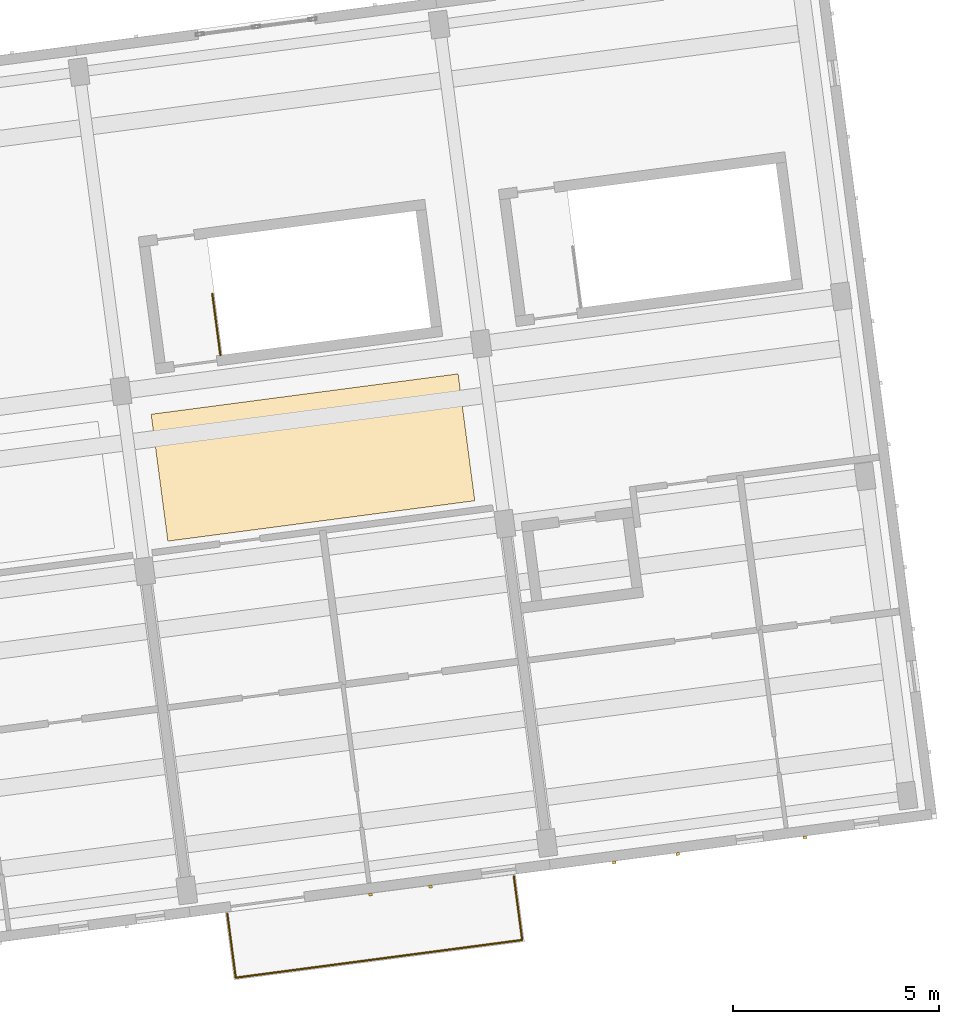
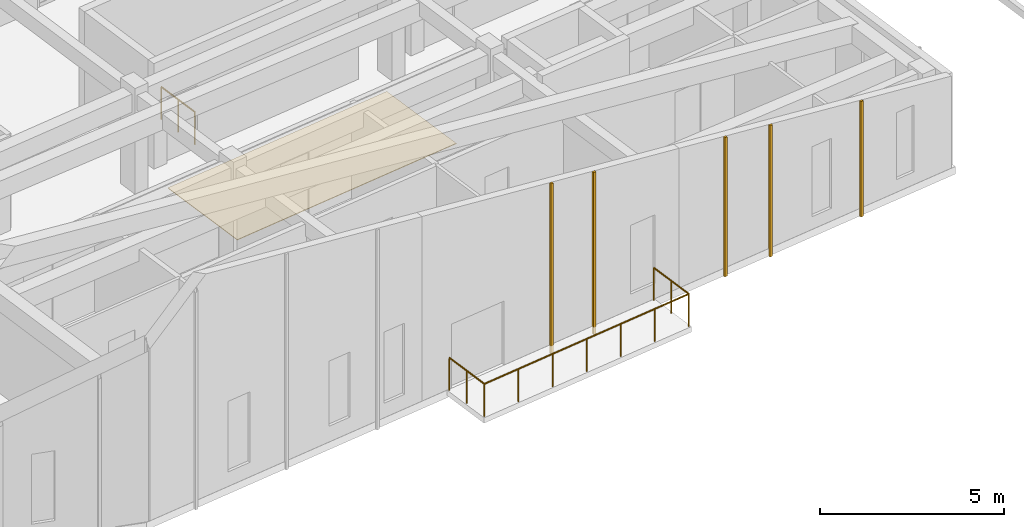
# One storey, part 8 of 10: 6 coverings, 2 railings.
"""IFC4 building model written with IfcOpenShell, lengths in metres."""

from ifc_helpers import new_model, si_unit, direction, frame, origin, origin_2d, place, context, subcontext, project, spatial, polyline, rectangle, circle, outline, extrude, material, layer, layer_set, type_object, element, save


model = new_model("IFC4")

# Units and contexts
model_context = context("Model", 3, precision=1e-05, world=origin(), true_north=direction((0.0, 1.0)))
body_context = subcontext(model_context, "Body", "Model", "MODEL_VIEW")
ifc_project = project(units=[si_unit("LENGTHUNIT", "METRE"), si_unit("AREAUNIT", "SQUARE_METRE"), si_unit("VOLUMEUNIT", "CUBIC_METRE"), si_unit("PLANEANGLEUNIT", "RADIAN"), si_unit("MASSUNIT", "GRAM", prefix="KILO")], contexts=[model_context])

# Site, building, storey
site_placement = place(None, origin())
site = spatial("IfcSite", under=ifc_project, at=site_placement, CompositionType="ELEMENT")
building_placement = place(site_placement, origin())
building = spatial("IfcBuilding", under=site, at=building_placement, Name="Kestramere Prow Commons", CompositionType="ELEMENT")
storey_placement = place(building_placement, frame((0.0, 0.0, 44.14990234375)))
storey = spatial("IfcBuildingStorey", under=building, at=storey_placement, Name="L13", CompositionType="ELEMENT", Elevation=44.14990234375)

# Coverings
ifc_material_1 = material(Name="Weathered Zinc-Titanium Standing-Seam Cladding")
ifc_layer_1 = layer(ifc_material_1, 0.074951171875)
ifc_layer_set_1 = layer_set([ifc_layer_1], Name="Weathered Zinc-Titanium Standing-Seam Cladding")
covering_type_1 = type_object("IfcCoveringType", Name="COV-CLAD-SEAM", PredefinedType="CLADDING", material=ifc_layer_set_1)
covering_1_placement = place(storey_placement, frame((25.82958984375, 73.24267578125, -0.25), z_axis=(0.0, 0.0, 1.0), x_axis=(-0.991444861374, -0.13052619222, 0.0)))
element("IfcCovering", 1, at=covering_1_placement, inside=storey, type_object=covering_type_1, Name="EW-A-L13-S-1 Standing-Seam Rib 2", PredefinedType="CLADDING", context=body_context, shape_type="SweptSolid", body=[
    extrude(rectangle(XDim=0.0849609375, YDim=0.06494140625, at=origin_2d()), origin(), (0.0, 0.0, 1.0), 5.375732421875),
])
covering_2_placement = place(storey_placement, frame((24.37548828125, 73.05126953125, -0.25), z_axis=(0.0, 0.0, 1.0), x_axis=(-0.991444861374, -0.13052619222, 0.0)))
element("IfcCovering", 2, at=covering_2_placement, inside=storey, type_object=covering_type_1, Name="EW-A-L13-S-1 Standing-Seam Rib 3", PredefinedType="CLADDING", context=body_context, shape_type="SweptSolid", body=[
    extrude(rectangle(XDim=0.0849609375, YDim=0.06494140625, at=origin_2d()), origin(), (0.0, 0.0, 1.0), 5.623779296875),
])
covering_3_placement = place(storey_placement, frame((34.9013671875, 74.43701171875, -0.25), z_axis=(0.0, 0.0, 1.0), x_axis=(-0.991444861374, -0.13052619222, 0.0)))
element("IfcCovering", 3, at=covering_3_placement, inside=storey, type_object=covering_type_1, Name="EW-A-L13-S-2 Standing-Seam Rib 2", PredefinedType="CLADDING", context=body_context, shape_type="SweptSolid", body=[
    extrude(rectangle(XDim=0.0849609375, YDim=0.06494140625, at=origin_2d()), origin(), (0.0, 0.0, 1.0), 3.8271484375),
])
covering_4_placement = place(storey_placement, frame((31.819580078125, 74.03125, -0.249755859375), z_axis=(0.0, 0.0, 1.0), x_axis=(-0.991444861374, -0.13052619222, 0.0)))
element("IfcCovering", 4, at=covering_4_placement, inside=storey, type_object=covering_type_1, Name="EW-A-L13-S-2 Standing-Seam Rib 4", PredefinedType="CLADDING", context=body_context, shape_type="SweptSolid", body=[
    extrude(rectangle(XDim=0.0849609375, YDim=0.06494140625, at=origin_2d()), origin(), (0.0, 0.0, 1.0), 4.35302734375),
])
covering_5_placement = place(storey_placement, frame((30.27880859375, 73.828369140625, -0.25), z_axis=(0.0, 0.0, 1.0), x_axis=(-0.991444861374, -0.13052619222, 0.0)))
element("IfcCovering", 5, at=covering_5_placement, inside=storey, type_object=covering_type_1, Name="EW-A-L13-S-2 Standing-Seam Rib 5", PredefinedType="CLADDING", context=body_context, shape_type="SweptSolid", body=[
    extrude(rectangle(XDim=0.0849609375, YDim=0.06494140625, at=origin_2d()), origin(), (0.0, 0.0, 1.0), 4.6162109375),
])
ifc_material_2 = material(Name="Honed Cementitious Terrazzo Tile")
ifc_layer_2 = layer(ifc_material_2, 0.02001953125)
ifc_layer_set_2 = layer_set([ifc_layer_2], Name="Honed Cementitious Terrazzo Tile")
covering_type_2 = type_object("IfcCoveringType", Name="COV-FLOOR-TERRAZZO", PredefinedType="FLOORING", material=ifc_layer_set_2)
covering_6_placement = place(storey_placement, origin())
element("IfcCovering", 6, at=covering_6_placement, inside=storey, type_object=covering_type_2, Name="Block A L13 Corridor Terrazzo Flooring 2", PredefinedType="FLOORING", context=body_context, shape_type="SweptSolid", body=[
    extrude(outline(polyline([(19.46630859375, 81.611083984375), (26.902099609375, 82.590087890625), (26.497314453125, 85.66357421875), (19.0615234375, 84.6845703125), (19.46630859375, 81.611083984375)])), origin(), (0.0, 0.0, 1.0), 0.02001953125),
])

# Railings
ifc_material_3 = material(Name="Powder-Coated Aluminium 6063-T6", Category="aluminium")
railing_type_1 = type_object("IfcRailingType", Name="GRD-BALC-1100", PredefinedType="BALUSTRADE", material=ifc_material_3)
railing_1_placement = place(storey_placement, frame((20.906982421875, 72.58203125, 0.0)))
element("IfcRailing", 7, at=railing_1_placement, inside=storey, type_object=railing_type_1, Name="Block A L13 Balcony Guardrail 2", PredefinedType="BALUSTRADE", context=body_context, shape_type="SweptSolid", body=[
    extrude(circle(Radius=0.02392578125, at=origin_2d()), frame((0.0, 0.0, 1.076171875), z_axis=(0.130523335136, -0.991445237512, 0.0), x_axis=(0.991445237512, 0.130523335136, 0.0)), (0.0, 0.0, 1.0), 1.56005859375),
    extrude(circle(Radius=0.02392578125, at=origin_2d()), frame((0.20361328125, -1.546630859375, 1.076171875), z_axis=(0.991447052715, 0.13050954625, 0.0), x_axis=(-0.13050954625, 0.991447052715, 0.0)), (0.0, 0.0, 1.0), 7.0),
    extrude(circle(Radius=0.02392578125, at=origin_2d()), frame((7.143798828125, -0.633056640625, 1.076171875), z_axis=(-0.130523335136, 0.991445237512, 0.0), x_axis=(-0.991445237512, -0.130523335136, 0.0)), (0.0, 0.0, 1.0), 1.56005859375),
    extrude(circle(Radius=0.02099609375, at=origin_2d()), origin(), (0.0, 0.0, 1.0), 1.052001953125),
    extrude(circle(Radius=0.02099609375, at=origin_2d()), frame((0.101806640625, -0.7734375, 0.0)), (0.0, 0.0, 1.0), 1.052001953125),
    extrude(circle(Radius=0.02099609375, at=origin_2d()), frame((0.20361328125, -1.546630859375, 0.0)), (0.0, 0.0, 1.0), 1.052001953125),
    extrude(circle(Radius=0.02099609375, at=origin_2d()), frame((1.3603515625, -1.394287109375, 0.0)), (0.0, 0.0, 1.0), 1.052001953125),
    extrude(circle(Radius=0.02099609375, at=origin_2d()), frame((2.51708984375, -1.2421875, 0.0)), (0.0, 0.0, 1.0), 1.052001953125),
    extrude(circle(Radius=0.02099609375, at=origin_2d()), frame((3.673828125, -1.08984375, 0.0)), (0.0, 0.0, 1.0), 1.052001953125),
    extrude(circle(Radius=0.02099609375, at=origin_2d()), frame((4.830322265625, -0.9375, 0.0)), (0.0, 0.0, 1.0), 1.052001953125),
    extrude(circle(Radius=0.02099609375, at=origin_2d()), frame((5.987060546875, -0.785400390625, 0.0)), (0.0, 0.0, 1.0), 1.052001953125),
    extrude(circle(Radius=0.02099609375, at=origin_2d()), frame((7.143798828125, -0.633056640625, 0.0)), (0.0, 0.0, 1.0), 1.052001953125),
    extrude(circle(Radius=0.02099609375, at=origin_2d()), frame((7.0419921875, 0.14013671875, 0.0)), (0.0, 0.0, 1.0), 1.052001953125),
    extrude(circle(Radius=0.02099609375, at=origin_2d()), frame((6.940185546875, 0.91357421875, 0.0)), (0.0, 0.0, 1.0), 1.052001953125),
])
ifc_material_4 = material(Name="Galvanised Steel S275JR", Category="steel")
railing_type_2 = type_object("IfcRailingType", Name="RL-ST-GR-1100", PredefinedType="GUARDRAIL", material=ifc_material_4)
railing_2_placement = place(storey_placement, frame((20.739013671875, 86.115966796875, 0.0)))
element("IfcRailing", 8, at=railing_2_placement, inside=storey, type_object=railing_type_2, Name="L13 ST-A1 top well guard 1", PredefinedType="GUARDRAIL", context=body_context, shape_type="SweptSolid", body=[
    extrude(circle(Radius=0.02392578125, at=origin_2d()), frame((0.0, 0.0, 1.076171875), z_axis=(-0.130542934004, 0.991442657132, 0.0), x_axis=(-0.991442657132, -0.130542934004, 0.0)), (0.0, 0.0, 1.0), 1.5),
    extrude(circle(Radius=0.02099609375, at=origin_2d()), origin(), (0.0, 0.0, 1.0), 1.052001953125),
    extrude(circle(Radius=0.02099609375, at=origin_2d()), frame((-0.097900390625, 0.74365234375, 0.0)), (0.0, 0.0, 1.0), 1.052001953125),
    extrude(circle(Radius=0.02099609375, at=origin_2d()), frame((-0.19580078125, 1.487060546875, 0.0)), (0.0, 0.0, 1.0), 1.052001953125),
])

save(model, "model.ifc")
